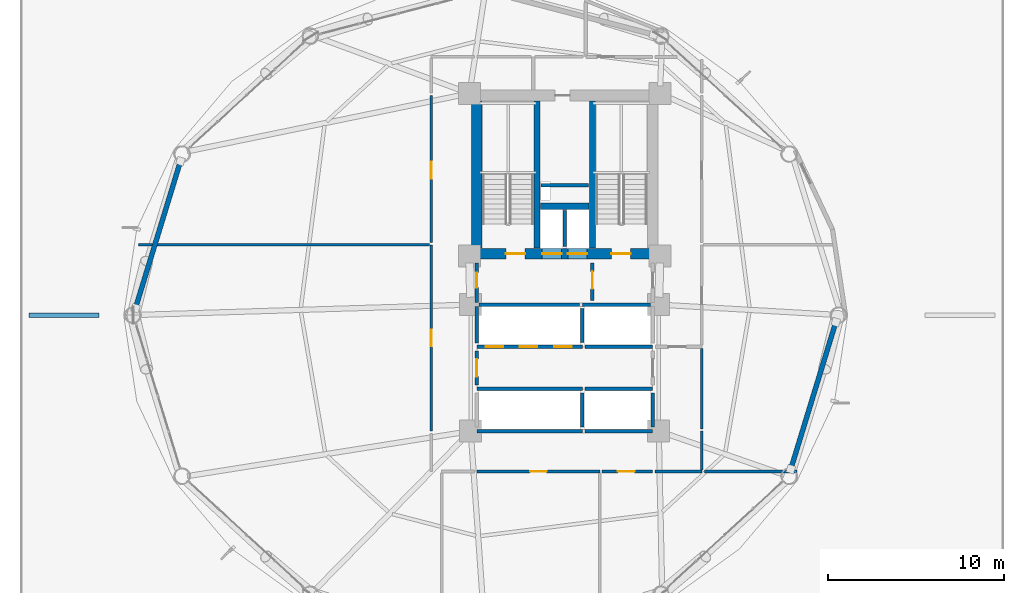
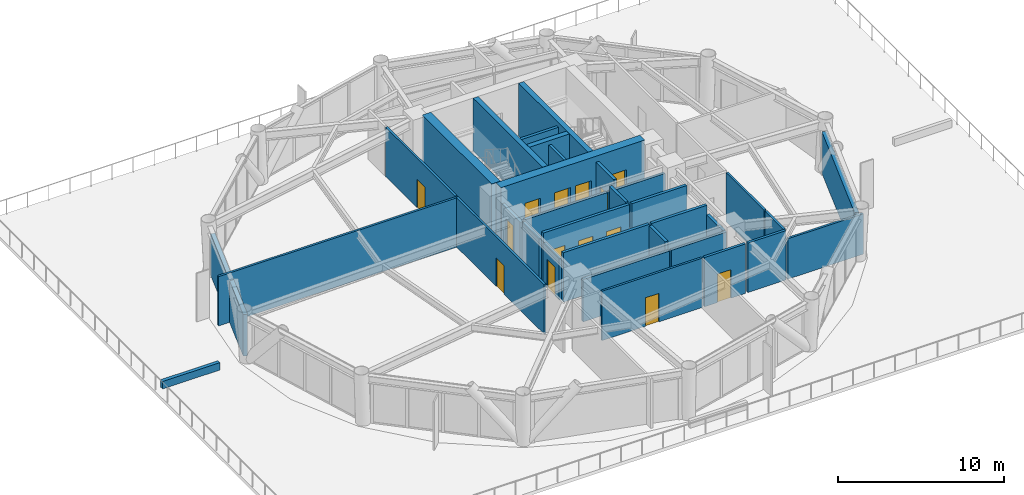
# One storey, part 20 of 24: 34 walls, 14 doors, 14 openings.
"""IFC4 building model written with IfcOpenShell, lengths in metres."""

from ifc_helpers import new_model, si_unit, direction, frame, frame_2d, origin, place, context, subcontext, project, spatial, rectangle, extrude, material, layer, layer_set, type_object, element, fill, save


model = new_model("IFC4")

# Units and contexts
model_context = context("Model", 3, precision=1e-05, world=origin(), true_north=direction((0.0, 1.0)))
body_context = subcontext(model_context, "Body", "Model", "MODEL_VIEW")
ifc_project = project(units=[si_unit("LENGTHUNIT", "METRE"), si_unit("AREAUNIT", "SQUARE_METRE"), si_unit("VOLUMEUNIT", "CUBIC_METRE"), si_unit("PLANEANGLEUNIT", "RADIAN"), si_unit("MASSUNIT", "GRAM", prefix="KILO")], contexts=[model_context])

# Site, building, storey
site_placement = place(None, origin())
site = spatial("IfcSite", under=ifc_project, at=site_placement, CompositionType="ELEMENT")
building_placement = place(site_placement, origin())
building = spatial("IfcBuilding", under=site, at=building_placement, Name="Varnakorn Sky Granary", CompositionType="ELEMENT")
storey_placement = place(building_placement, frame((0.0, 0.0, 27.60009765625)))
storey = spatial("IfcBuildingStorey", under=building, at=storey_placement, Name="L06", CompositionType="ELEMENT", Elevation=27.60009765625)

# Walls
ifc_material_1 = material(Name="Concrete C50/60", Category="concrete")
ifc_layer_1 = layer(ifc_material_1, 0.35009765625, Name="Concrete C50/60")
ifc_layer_set_1 = layer_set([ifc_layer_1], Name="Concrete C50/60")
wall_type_1 = type_object("IfcWallType", Name="WT-CW-INT-350", PredefinedType="SHEAR", material=ifc_layer_set_1)
for number, where, z_axis, x_axis, name in (
    (1, (1.419921875, 3.81005859375, 0.0), (0.0, 0.0, 1.0), (0.0, 1.0, 0.0), "Stair ST-1 Core Wall L06"),
    (2, (4.580078125, 3.81005859375, 0.0), (0.0, 0.0, 1.0), (0.0, 1.0, 0.0), "Stair ST-2 Core Wall L06"),
):
    element("IfcWall", number, at=place(storey_placement, frame(where, z_axis=z_axis, x_axis=x_axis)), inside=storey, type_object=wall_type_1, Name=name, PredefinedType="SHEAR", context=body_context, shape_type="SweptSolid", body=[
        extrude(rectangle(XDim=8.3798828125, YDim=0.35009765625, at=frame_2d((4.18994140625, 0.0))), origin(), (0.0, 0.0, 1.0), 3.891845703125),
    ])
wall_1_placement = place(storey_placement, frame((1.610107421875, 6.199951171875, 0.0), z_axis=(0.0, 0.0, 1.0), x_axis=(1.0, 0.0, 0.0)))
element("IfcWall", 3, at=wall_1_placement, inside=storey, type_object=wall_type_1, Name="Core Lift Shaft Cross Wall L06", PredefinedType="SHEAR", context=body_context, shape_type="SweptSolid", body=[
    extrude(rectangle(XDim=2.77978515625, YDim=0.35009765625, at=frame_2d((1.389892578125, 0.0))), origin(), (0.0, 0.0, 1.0), 3.891845703125),
])

# Wall, openings, doors
ifc_material_2 = material(Name="Concrete C60/75", Category="concrete")
ifc_layer_2 = layer(ifc_material_2, 0.60009765625, Name="Concrete C60/75")
ifc_layer_set_2 = layer_set([ifc_layer_2], Name="Concrete C60/75")
wall_type_2 = type_object("IfcWallType", Name="WT-CW-SHEAR-600", PredefinedType="SHEAR", material=ifc_layer_set_2)
wall_2_placement = place(storey_placement, frame((-2.0, 3.5, 0.0), z_axis=(0.0, 0.0, 1.0), x_axis=(1.0, 0.0, 0.0)))
wall_2 = element("IfcWall", 4, at=wall_2_placement, inside=storey, type_object=wall_type_2, Name="Core South Shear Wall L06", PredefinedType="SHEAR", context=body_context, shape_type="SweptSolid", body=[
    extrude(rectangle(XDim=10.0, YDim=0.60009765625, at=frame_2d((5.0, 0.0))), origin(), (0.0, 0.0, 1.0), 3.891845703125),
])
opening_1_placement = place(wall_2_placement, frame((1.64990234375, 0.0, 0.0)))
opening_1 = element("IfcOpeningElement", 5, at=opening_1_placement, cuts=wall_2, Name="Opening FD-90", PredefinedType="OPENING", context=body_context, shape_type="SweptSolid", body=[
    extrude(rectangle(XDim=1.10009765625, YDim=2.14990234375, at=frame_2d((0.550048828125, 1.074951171875))), frame((0.0, 0.31005859375, 0.0), z_axis=(0.0, -1.0, 0.0), x_axis=(1.0, 0.0, 0.0)), (0.0, 0.0, 1.0), 0.6201171875),
])
opening_2_placement = place(wall_2_placement, frame((7.64990234375, 0.0, 0.0)))
opening_2 = element("IfcOpeningElement", 6, at=opening_2_placement, cuts=wall_2, Name="Opening FD-90", PredefinedType="OPENING", context=body_context, shape_type="SweptSolid", body=[
    extrude(rectangle(XDim=1.10009765625, YDim=2.14990234375, at=frame_2d((0.550048828125, 1.074951171875))), frame((0.0, 0.31005859375, 0.0), z_axis=(0.0, -1.0, 0.0), x_axis=(1.0, 0.0, 0.0)), (0.0, 0.0, 1.0), 0.6201171875),
])
opening_3_placement = place(wall_2_placement, frame((3.719970703125, 0.0, 0.0)))
opening_3 = element("IfcOpeningElement", 7, at=opening_3_placement, cuts=wall_2, Name="Opening LD-01", PredefinedType="OPENING", context=body_context, shape_type="SweptSolid", body=[
    extrude(rectangle(XDim=1.10009765625, YDim=2.199951171875, at=frame_2d((0.550048828125, 1.10009765625))), frame((0.0, 0.31005859375, 0.0), z_axis=(0.0, -1.0, 0.0), x_axis=(1.0, 0.0, 0.0)), (0.0, 0.0, 1.0), 0.6201171875),
])
opening_4_placement = place(wall_2_placement, frame((5.179931640625, 0.0, 0.0)))
opening_4 = element("IfcOpeningElement", 8, at=opening_4_placement, cuts=wall_2, Name="Opening LD-01", PredefinedType="OPENING", context=body_context, shape_type="SweptSolid", body=[
    extrude(rectangle(XDim=1.10009765625, YDim=2.199951171875, at=frame_2d((0.550048828125, 1.10009765625))), frame((0.0, 0.31005859375, 0.0), z_axis=(0.0, -1.0, 0.0), x_axis=(1.0, 0.0, 0.0)), (0.0, 0.0, 1.0), 0.6201171875),
])
ifc_material_3 = material(Name="Brushed Bronze Stainless Steel", Category="steel")
door_type_1 = type_object("IfcDoorType", Name="DR-LD-1100", OperationType="DOUBLE_DOOR_SLIDING", PredefinedType="DOOR", material=ifc_material_3)
door_1_placement = place(opening_3_placement, origin())
door_1 = element("IfcDoor", 9, at=door_1_placement, inside=storey, type_object=door_type_1, Name="Firefighting Lift FFL-1 Landing Door L06", OperationType="DOUBLE_DOOR_SLIDING", OverallHeight=2.199951171875, OverallWidth=1.10009765625, PredefinedType="DOOR", context=body_context, shape_type="SweptSolid", body=[
    extrude(rectangle(XDim=1.10009765625, YDim=2.199951171875, at=frame_2d((0.550048828125, 1.10009765625))), frame((0.0, 0.02490234375, 0.0), z_axis=(0.0, -1.0, 0.0), x_axis=(1.0, 0.0, 0.0)), (0.0, 0.0, 1.0), 0.050048828125),
])
fill(opening_3, door_1)
door_2_placement = place(opening_4_placement, origin())
door_2 = element("IfcDoor", 10, at=door_2_placement, inside=storey, type_object=door_type_1, Name="Firefighting Lift FFL-2 Landing Door L06", OperationType="DOUBLE_DOOR_SLIDING", OverallHeight=2.199951171875, OverallWidth=1.10009765625, PredefinedType="DOOR", context=body_context, shape_type="SweptSolid", body=[
    extrude(rectangle(XDim=1.10009765625, YDim=2.199951171875, at=frame_2d((0.550048828125, 1.10009765625))), frame((0.0, 0.02490234375, 0.0), z_axis=(0.0, -1.0, 0.0), x_axis=(1.0, 0.0, 0.0)), (0.0, 0.0, 1.0), 0.050048828125),
])
fill(opening_4, door_2)
ifc_material_4 = material(Name="Galvanised Painted Steel Leaf", Category="steel")
door_type_2 = type_object("IfcDoorType", Name="DR-STAIR-1100", OperationType="NOTDEFINED", PredefinedType="DOOR", material=ifc_material_4)
door_3_placement = place(opening_1_placement, origin())
door_3 = element("IfcDoor", 11, at=door_3_placement, inside=storey, type_object=door_type_2, Name="Stair ST-1 Protected Fire Door L06", OperationType="SINGLE_SWING_LEFT", OverallHeight=2.14990234375, OverallWidth=1.10009765625, PredefinedType="DOOR", context=body_context, shape_type="SweptSolid", body=[
    extrude(rectangle(XDim=1.10009765625, YDim=2.14990234375, at=frame_2d((0.550048828125, 1.074951171875))), frame((0.0, 0.02490234375, 0.0), z_axis=(0.0, -1.0, 0.0), x_axis=(1.0, 0.0, 0.0)), (0.0, 0.0, 1.0), 0.050048828125),
])
fill(opening_1, door_3)
door_4_placement = place(opening_2_placement, origin())
door_4 = element("IfcDoor", 12, at=door_4_placement, inside=storey, type_object=door_type_2, Name="Stair ST-2 Protected Fire Door L06", OperationType="SINGLE_SWING_RIGHT", OverallHeight=2.14990234375, OverallWidth=1.10009765625, PredefinedType="DOOR", context=body_context, shape_type="SweptSolid", body=[
    extrude(rectangle(XDim=1.10009765625, YDim=2.14990234375, at=frame_2d((0.550048828125, 1.074951171875))), frame((0.0, 0.02490234375, 0.0), z_axis=(0.0, -1.0, 0.0), x_axis=(1.0, 0.0, 0.0)), (0.0, 0.0, 1.0), 0.050048828125),
])
fill(opening_2, door_4)

# Walls
wall_3_placement = place(storey_placement, frame((-2.0, 3.81005859375, 0.0), z_axis=(0.0, 0.0, 1.0), x_axis=(0.0, 1.0, 0.0)))
element("IfcWall", 13, at=wall_3_placement, inside=storey, type_object=wall_type_2, Name="Core West Shear Wall L06", PredefinedType="SHEAR", context=body_context, shape_type="SweptSolid", body=[
    extrude(rectangle(XDim=8.3798828125, YDim=0.60009765625, at=frame_2d((4.18994140625, 0.0))), origin(), (0.0, 0.0, 1.0), 3.891845703125),
])
ifc_material_5 = material(Name="Precast concrete C40/50", Category="concrete")
ifc_layer_3 = layer(ifc_material_5, 0.280029296875, Name="Precast concrete C40/50")
ifc_layer_set_3 = layer_set([ifc_layer_3], Name="Precast concrete C40/50")
wall_type_3 = type_object("IfcWallType", Name="WT-EW-CRN-280", PredefinedType="SOLIDWALL", material=ifc_layer_set_3)
for number, where, z_axis, x_axis, name in (
    (14, (-21.429443359375, 0.39404296875, 0.0), (0.0, 0.0, 1.0), (0.292709587844, 0.956201389449, 0.0), "Agritech Insulated Precast Facade Wall L06-P06"),
    (15, (18.429443359375, -0.39404296875, 0.0), (0.0, 0.0, 1.0), (-0.292709587844, -0.956201389449, 0.0), "Agritech Insulated Precast Facade Wall L06-P12"),
):
    element("IfcWall", number, at=place(storey_placement, frame(where, z_axis=z_axis, x_axis=x_axis)), inside=storey, type_object=wall_type_3, Name=name, PredefinedType="SOLIDWALL", context=body_context, shape_type="SweptSolid", body=[
        extrude(rectangle(XDim=8.752685546875, YDim=0.280029296875, at=frame_2d((4.37646484375, 0.0))), origin(), (0.0, 0.0, 1.0), 3.059814453125),
    ])

# Wall, opening, door
ifc_material_6 = material(Name="Autoclaved Aerated Concrete Blockwork", Category="masonry")
ifc_layer_4 = layer(ifc_material_6, 0.199951171875, Name="Autoclaved Aerated Concrete Blockwork")
ifc_layer_set_4 = layer_set([ifc_layer_4], Name="Autoclaved Aerated Concrete Blockwork")
wall_type_4 = type_object("IfcWallType", Name="WT-FIRE-200", PredefinedType="MOVABLE", material=ifc_layer_set_4)
wall_4_placement = place(storey_placement, frame((4.580078125, 0.830078125, 0.0), z_axis=(0.0, 0.0, 1.0), x_axis=(0.0, 1.0, 0.0)))
wall_4 = element("IfcWall", 16, at=wall_4_placement, inside=storey, type_object=wall_type_4, Name="Interior Partition Wall L06-016", PredefinedType="MOVABLE", context=body_context, shape_type="SweptSolid", body=[
    extrude(rectangle(XDim=2.139892578125, YDim=0.199951171875, at=frame_2d((1.06982421875, 0.0))), origin(), (0.0, 0.0, 1.0), 3.639892578125),
])
opening_5_placement = place(wall_4_placement, frame((0.659912109375, 0.0, 0.0)))
opening_5 = element("IfcOpeningElement", 17, at=opening_5_placement, cuts=wall_4, Name="Opening FD-60", PredefinedType="OPENING", context=body_context, shape_type="SweptSolid", body=[
    extrude(rectangle(XDim=1.0, YDim=2.10009765625, at=frame_2d((0.5, 1.050048828125))), frame((0.0, 0.10986328125, 0.0), z_axis=(0.0, -1.0, 0.0), x_axis=(1.0, 0.0, 0.0)), (0.0, 0.0, 1.0), 0.219970703125),
])
ifc_material_7 = material(Name="Acoustic Timber Fire Leaf", Category="wood")
door_type_3 = type_object("IfcDoorType", Name="DR-FD60-1000", OperationType="NOTDEFINED", PredefinedType="DOOR", material=ifc_material_7)
door_5_placement = place(opening_5_placement, origin())
door_5 = element("IfcDoor", 18, at=door_5_placement, inside=storey, type_object=door_type_3, Name="Interior Door L06-016-1", OperationType="SINGLE_SWING_LEFT", OverallHeight=2.10009765625, OverallWidth=1.0, PredefinedType="DOOR", context=body_context, shape_type="SweptSolid", body=[
    extrude(rectangle(XDim=1.0, YDim=2.10009765625, at=frame_2d((0.5, 1.050048828125))), frame((0.0, 0.02490234375, 0.0), z_axis=(0.0, -1.0, 0.0), x_axis=(1.0, 0.0, 0.0)), (0.0, 0.0, 1.0), 0.050048828125),
])
fill(opening_5, door_5)

wall_5_placement = place(storey_placement, frame((-2.0, 0.719970703125, 0.0), z_axis=(0.0, 0.0, 1.0), x_axis=(0.0, 1.0, 0.0)))
wall_5 = element("IfcWall", 19, at=wall_5_placement, inside=storey, type_object=wall_type_4, Name="Interior Partition Wall L06-017", PredefinedType="MOVABLE", context=body_context, shape_type="SweptSolid", body=[
    extrude(rectangle(XDim=2.25, YDim=0.199951171875, at=frame_2d((1.125, 0.0))), origin(), (0.0, 0.0, 1.0), 2.871826171875),
])
opening_6_placement = place(wall_5_placement, frame((0.844970703125, 0.0, 0.0)))
opening_6 = element("IfcOpeningElement", 20, at=opening_6_placement, cuts=wall_5, Name="Opening FD-60N", PredefinedType="OPENING", context=body_context, shape_type="SweptSolid", body=[
    extrude(rectangle(XDim=0.85009765625, YDim=2.10009765625, at=frame_2d((0.425048828125, 1.050048828125))), frame((0.0, 0.10986328125, 0.0), z_axis=(0.0, -1.0, 0.0), x_axis=(1.0, 0.0, 0.0)), (0.0, 0.0, 1.0), 0.219970703125),
])
door_type_4 = type_object("IfcDoorType", Name="DR-FD60-850", OperationType="NOTDEFINED", PredefinedType="DOOR", material=ifc_material_7)
door_6_placement = place(opening_6_placement, origin())
door_6 = element("IfcDoor", 21, at=door_6_placement, inside=storey, type_object=door_type_4, Name="Interior Door L06-017-1", OperationType="SINGLE_SWING_RIGHT", OverallHeight=2.10009765625, OverallWidth=0.85009765625, PredefinedType="DOOR", context=body_context, shape_type="SweptSolid", body=[
    extrude(rectangle(XDim=0.85009765625, YDim=2.10009765625, at=frame_2d((0.425048828125, 1.050048828125))), frame((0.0, 0.02490234375, 0.0), z_axis=(0.0, -1.0, 0.0), x_axis=(1.0, 0.0, 0.0)), (0.0, 0.0, 1.0), 0.050048828125),
])
fill(opening_6, door_6)

wall_6_placement = place(storey_placement, frame((-2.0, -3.969970703125, 0.0), z_axis=(0.0, 0.0, 1.0), x_axis=(0.0, 1.0, 0.0)))
wall_6 = element("IfcWall", 22, at=wall_6_placement, inside=storey, type_object=wall_type_4, Name="Interior Partition Wall L06-019", PredefinedType="MOVABLE", context=body_context, shape_type="SweptSolid", body=[
    extrude(rectangle(XDim=1.93994140625, YDim=0.199951171875, at=frame_2d((0.969970703125, 0.0))), origin(), (0.0, 0.0, 1.0), 3.02197265625),
])
opening_7_placement = place(wall_6_placement, frame((0.469970703125, 0.0, 0.0)))
opening_7 = element("IfcOpeningElement", 23, at=opening_7_placement, cuts=wall_6, Name="Opening FD-60", PredefinedType="OPENING", context=body_context, shape_type="SweptSolid", body=[
    extrude(rectangle(XDim=1.0, YDim=2.10009765625, at=frame_2d((0.5, 1.050048828125))), frame((0.0, 0.10986328125, 0.0), z_axis=(0.0, -1.0, 0.0), x_axis=(1.0, 0.0, 0.0)), (0.0, 0.0, 1.0), 0.219970703125),
])
door_7_placement = place(opening_7_placement, origin())
door_7 = element("IfcDoor", 24, at=door_7_placement, inside=storey, type_object=door_type_3, Name="Interior Door L06-019-1", OperationType="SINGLE_SWING_RIGHT", OverallHeight=2.10009765625, OverallWidth=1.0, PredefinedType="DOOR", context=body_context, shape_type="SweptSolid", body=[
    extrude(rectangle(XDim=1.0, YDim=2.10009765625, at=frame_2d((0.5, 1.050048828125))), frame((0.0, 0.02490234375, 0.0), z_axis=(0.0, -1.0, 0.0), x_axis=(1.0, 0.0, 0.0)), (0.0, 0.0, 1.0), 0.050048828125),
])
fill(opening_7, door_7)

# Wall
wall_7_placement = place(storey_placement, frame((-1.8798828125, 0.60009765625, 0.0), z_axis=(0.0, 0.0, 1.0), x_axis=(1.0, 0.0, 0.0)))
element("IfcWall", 25, at=wall_7_placement, inside=storey, type_object=wall_type_4, Name="Interior Partition Wall L06-029", PredefinedType="MOVABLE", context=body_context, shape_type="SweptSolid", body=[
    extrude(rectangle(XDim=5.719970703125, YDim=0.199951171875, at=frame_2d((2.85986328125, 0.0))), origin(), (0.0, 0.0, 1.0), 3.121826171875),
])

# Wall, opening, door
ifc_material_8 = material(Name="Gypsum Plasterboard on Steel Stud", Category="steel")
ifc_layer_5 = layer(ifc_material_8, 0.14990234375, Name="Gypsum Plasterboard on Steel Stud")
ifc_layer_set_5 = layer_set([ifc_layer_5], Name="Gypsum Plasterboard on Steel Stud")
wall_type_5 = type_object("IfcWallType", Name="WT-PART-150", PredefinedType="PARTITIONING", material=ifc_layer_set_5)
wall_8_placement = place(storey_placement, frame((-2.0, -8.89990234375, 0.0), z_axis=(0.0, 0.0, 1.0), x_axis=(1.0, 0.0, 0.0)))
wall_8 = element("IfcWall", 26, at=wall_8_placement, inside=storey, type_object=wall_type_5, Name="Interior Partition Wall L06-023", PredefinedType="PARTITIONING", context=body_context, shape_type="SweptSolid", body=[
    extrude(rectangle(XDim=7.0, YDim=0.14990234375, at=frame_2d((3.5, 0.0))), origin(), (0.0, 0.0, 1.0), 3.639892578125),
])
opening_8_placement = place(wall_8_placement, frame((3.02490234375, 0.0, 0.0)))
opening_8 = element("IfcOpeningElement", 27, at=opening_8_placement, cuts=wall_8, Name="Opening ID-95", PredefinedType="OPENING", context=body_context, shape_type="SweptSolid", body=[
    extrude(rectangle(XDim=0.949951171875, YDim=2.10009765625, at=frame_2d((0.47509765625, 1.050048828125))), frame((0.0, 0.0849609375, 0.0), z_axis=(0.0, -1.0, 0.0), x_axis=(1.0, 0.0, 0.0)), (0.0, 0.0, 1.0), 0.169921875),
])
ifc_material_9 = material(Name="Solid-Core Teak Veneer Leaf", Category="timber")
door_type_5 = type_object("IfcDoorType", Name="DR-INT-950", OperationType="NOTDEFINED", PredefinedType="DOOR", material=ifc_material_9)
door_8_placement = place(opening_8_placement, origin())
door_8 = element("IfcDoor", 28, at=door_8_placement, inside=storey, type_object=door_type_5, Name="Interior Door L06-023-1", OperationType="SINGLE_SWING_RIGHT", OverallHeight=2.10009765625, OverallWidth=0.949951171875, PredefinedType="DOOR", context=body_context, shape_type="SweptSolid", body=[
    extrude(rectangle(XDim=0.949951171875, YDim=2.10009765625, at=frame_2d((0.47509765625, 1.050048828125))), frame((0.0, 0.02490234375, 0.0), z_axis=(0.0, -1.0, 0.0), x_axis=(1.0, 0.0, 0.0)), (0.0, 0.0, 1.0), 0.050048828125),
])
fill(opening_8, door_8)

wall_9_placement = place(storey_placement, frame((-4.60009765625, 4.0, 0.0), z_axis=(0.0, 0.0, 1.0), x_axis=(0.0, -1.0, 0.0)))
wall_9 = element("IfcWall", 29, at=wall_9_placement, inside=storey, type_object=wall_type_5, Name="Interior Partition Wall L06-025", PredefinedType="PARTITIONING", context=body_context, shape_type="SweptSolid", body=[
    extrude(rectangle(XDim=10.60009765625, YDim=0.14990234375, at=frame_2d((5.300048828125, 0.0))), origin(), (0.0, 0.0, 1.0), 3.639892578125),
])
opening_9_placement = place(wall_9_placement, frame((4.824951171875, 0.0, 0.0)))
opening_9 = element("IfcOpeningElement", 30, at=opening_9_placement, cuts=wall_9, Name="Opening ID-95", PredefinedType="OPENING", context=body_context, shape_type="SweptSolid", body=[
    extrude(rectangle(XDim=0.949951171875, YDim=2.10009765625, at=frame_2d((0.47509765625, 1.050048828125))), frame((0.0, 0.0849609375, 0.0), z_axis=(0.0, -1.0, 0.0), x_axis=(1.0, 0.0, 0.0)), (0.0, 0.0, 1.0), 0.169921875),
])
door_9_placement = place(opening_9_placement, origin())
door_9 = element("IfcDoor", 31, at=door_9_placement, inside=storey, type_object=door_type_5, Name="Interior Door L06-025-1", OperationType="SINGLE_SWING_RIGHT", OverallHeight=2.10009765625, OverallWidth=0.949951171875, PredefinedType="DOOR", context=body_context, shape_type="SweptSolid", body=[
    extrude(rectangle(XDim=0.949951171875, YDim=2.10009765625, at=frame_2d((0.47509765625, 1.050048828125))), frame((0.0, 0.02490234375, 0.0), z_axis=(0.0, -1.0, 0.0), x_axis=(1.0, 0.0, 0.0)), (0.0, 0.0, 1.0), 0.050048828125),
])
fill(opening_9, door_9)

wall_10_placement = place(storey_placement, frame((-4.60009765625, 12.5, 0.0), z_axis=(0.0, 0.0, 1.0), x_axis=(0.0, -1.0, 0.0)))
wall_10 = element("IfcWall", 32, at=wall_10_placement, inside=storey, type_object=wall_type_5, Name="Interior Partition Wall L06-027", PredefinedType="PARTITIONING", context=body_context, shape_type="SweptSolid", body=[
    extrude(rectangle(XDim=8.364990234375, YDim=0.14990234375, at=frame_2d((4.1826171875, 0.0))), origin(), (0.0, 0.0, 1.0), 3.639892578125),
])
opening_10_placement = place(wall_10_placement, frame((3.77490234375, 0.0, 0.0)))
opening_10 = element("IfcOpeningElement", 33, at=opening_10_placement, cuts=wall_10, Name="Opening ID-95", PredefinedType="OPENING", context=body_context, shape_type="SweptSolid", body=[
    extrude(rectangle(XDim=0.949951171875, YDim=2.10009765625, at=frame_2d((0.47509765625, 1.050048828125))), frame((0.0, 0.0849609375, 0.0), z_axis=(0.0, -1.0, 0.0), x_axis=(1.0, 0.0, 0.0)), (0.0, 0.0, 1.0), 0.169921875),
])
door_10_placement = place(opening_10_placement, origin())
door_10 = element("IfcDoor", 34, at=door_10_placement, inside=storey, type_object=door_type_5, Name="Interior Door L06-027-1", OperationType="SINGLE_SWING_RIGHT", OverallHeight=2.10009765625, OverallWidth=0.949951171875, PredefinedType="DOOR", context=body_context, shape_type="SweptSolid", body=[
    extrude(rectangle(XDim=0.949951171875, YDim=2.10009765625, at=frame_2d((0.47509765625, 1.050048828125))), frame((0.0, 0.02490234375, 0.0), z_axis=(0.0, -1.0, 0.0), x_axis=(1.0, 0.0, 0.0)), (0.0, 0.0, 1.0), 0.050048828125),
])
fill(opening_10, door_10)

# Walls
wall_11_placement = place(storey_placement, frame((10.949951171875, -8.89990234375, 0.0), z_axis=(0.0, 0.0, 1.0), x_axis=(1.0, 0.0, 0.0)))
element("IfcWall", 35, at=wall_11_placement, inside=storey, type_object=wall_type_5, Name="Interior Partition Wall L06-036", PredefinedType="PARTITIONING", context=body_context, shape_type="SweptSolid", body=[
    extrude(rectangle(XDim=5.260009765625, YDim=0.14990234375, at=frame_2d((2.6298828125, 0.0))), origin(), (0.0, 0.0, 1.0), 2.971923828125),
])
wall_12_placement = place(storey_placement, frame((-21.2509765625, 4.0, 0.0), z_axis=(0.0, 0.0, 1.0), x_axis=(1.0, 0.0, 0.0)))
element("IfcWall", 36, at=wall_12_placement, inside=storey, type_object=wall_type_5, Name="Interior Partition Wall L06-038", PredefinedType="PARTITIONING", context=body_context, shape_type="SweptSolid", body=[
    extrude(rectangle(XDim=16.56591796875, YDim=0.14990234375, at=frame_2d((8.282958984375, 0.0))), origin(), (0.0, 0.0, 1.0), 3.639892578125),
])
wall_13_placement = place(storey_placement, frame((10.800048828125, -8.800048828125, 0.0), z_axis=(0.0, 0.0, 1.0), x_axis=(0.0, 1.0, 0.0)))
element("IfcWall", 37, at=wall_13_placement, inside=storey, type_object=wall_type_5, Name="Interior Partition Wall L06-039", PredefinedType="PARTITIONING", context=body_context, shape_type="SweptSolid", body=[
    extrude(rectangle(XDim=2.199951171875, YDim=0.14990234375, at=frame_2d((1.10009765625, 0.0))), origin(), (0.0, 0.0, 1.0), 3.639892578125),
])
wall_14_placement = place(storey_placement, frame((10.800048828125, -6.465087890625, 0.0), z_axis=(0.0, 0.0, 1.0), x_axis=(0.0, 1.0, 0.0)))
element("IfcWall", 38, at=wall_14_placement, inside=storey, type_object=wall_type_5, Name="Interior Partition Wall L06-040", PredefinedType="PARTITIONING", context=body_context, shape_type="SweptSolid", body=[
    extrude(rectangle(XDim=4.55517578125, YDim=0.14990234375, at=frame_2d((2.277587890625, 0.0))), origin(), (0.0, 0.0, 1.0), 3.639892578125),
])

# Wall, opening, door
ifc_material_10 = material(Name="Moisture-Resistant Gypsum on Stud", Category="gypsum")
ifc_layer_6 = layer(ifc_material_10, 0.179931640625, Name="Moisture-Resistant Gypsum on Stud")
ifc_layer_set_6 = layer_set([ifc_layer_6], Name="Moisture-Resistant Gypsum on Stud")
wall_type_6 = type_object("IfcWallType", Name="WT-PLUMB-180", PredefinedType="PLUMBINGWALL", material=ifc_layer_set_6)
wall_15_placement = place(storey_placement, frame((5.135009765625, -8.89990234375, 0.0), z_axis=(0.0, 0.0, 1.0), x_axis=(1.0, 0.0, 0.0)))
wall_15 = element("IfcWall", 39, at=wall_15_placement, inside=storey, type_object=wall_type_6, Name="Interior Partition Wall L06-024", PredefinedType="PLUMBINGWALL", context=body_context, shape_type="SweptSolid", body=[
    extrude(rectangle(XDim=2.864990234375, YDim=0.179931640625, at=frame_2d((1.4326171875, 0.0))), origin(), (0.0, 0.0, 1.0), 3.639892578125),
])
opening_11_placement = place(wall_15_placement, frame((0.889892578125, 0.0, 0.0)))
opening_11 = element("IfcOpeningElement", 40, at=opening_11_placement, cuts=wall_15, Name="Opening ID-95", PredefinedType="OPENING", context=body_context, shape_type="SweptSolid", body=[
    extrude(rectangle(XDim=0.949951171875, YDim=2.10009765625, at=frame_2d((0.47509765625, 1.050048828125))), frame((0.0, 0.10009765625, 0.0), z_axis=(0.0, -1.0, 0.0), x_axis=(1.0, 0.0, 0.0)), (0.0, 0.0, 1.0), 0.199951171875),
])
door_11_placement = place(opening_11_placement, origin())
door_11 = element("IfcDoor", 41, at=door_11_placement, inside=storey, type_object=door_type_5, Name="Interior Door L06-024-1", OperationType="SINGLE_SWING_LEFT", OverallHeight=2.10009765625, OverallWidth=0.949951171875, PredefinedType="DOOR", context=body_context, shape_type="SweptSolid", body=[
    extrude(rectangle(XDim=0.949951171875, YDim=2.10009765625, at=frame_2d((0.47509765625, 1.050048828125))), frame((0.0, 0.02490234375, 0.0), z_axis=(0.0, -1.0, 0.0), x_axis=(1.0, 0.0, 0.0)), (0.0, 0.0, 1.0), 0.050048828125),
])
fill(opening_11, door_11)

# Walls
wall_16_placement = place(storey_placement, frame((8.14990234375, -8.89990234375, 0.0), z_axis=(0.0, 0.0, 1.0), x_axis=(1.0, 0.0, 0.0)))
element("IfcWall", 42, at=wall_16_placement, inside=storey, type_object=wall_type_6, Name="Interior Partition Wall L06-035", PredefinedType="PLUMBINGWALL", context=body_context, shape_type="SweptSolid", body=[
    extrude(rectangle(XDim=2.650146484375, YDim=0.179931640625, at=frame_2d((1.3251953125, 0.0))), origin(), (0.0, 0.0, 1.0), 3.639892578125),
])
ifc_layer_7 = layer(ifc_material_6, 0.199951171875, Name="Autoclaved Aerated Concrete Blockwork")
ifc_layer_set_7 = layer_set([ifc_layer_7], Name="Autoclaved Aerated Concrete Blockwork")
wall_type_7 = type_object("IfcWallType", Name="WT-SHAFT-200", PredefinedType="SOLIDWALL", material=ifc_layer_set_7)
wall_17_placement = place(storey_placement, frame((3.0, 3.919921875, 0.0), z_axis=(0.0, 0.0, 1.0), x_axis=(0.0, 1.0, 0.0)))
element("IfcWall", 43, at=wall_17_placement, inside=storey, type_object=wall_type_7, Name="Interior Partition Wall L06-001", PredefinedType="SOLIDWALL", context=body_context, shape_type="SweptSolid", body=[
    extrude(rectangle(XDim=2.030029296875, YDim=0.199951171875, at=frame_2d((1.01513671875, 0.0))), origin(), (0.0, 0.0, 1.0), 3.639892578125),
])
wall_18_placement = place(storey_placement, frame((1.64990234375, 7.3798828125, 0.0), z_axis=(0.0, 0.0, 1.0), x_axis=(1.0, 0.0, 0.0)))
element("IfcWall", 44, at=wall_18_placement, inside=storey, type_object=wall_type_7, Name="Interior Partition Wall L06-002", PredefinedType="SOLIDWALL", context=body_context, shape_type="SweptSolid", body=[
    extrude(rectangle(XDim=2.7001953125, YDim=0.199951171875, at=frame_2d((1.35009765625, 0.0))), origin(), (0.0, 0.0, 1.0), 3.639892578125),
])
wall_19_placement = place(storey_placement, frame((4.0, 0.60009765625, 0.0), z_axis=(0.0, 0.0, 1.0), x_axis=(1.0, 0.0, 0.0)))
element("IfcWall", 45, at=wall_19_placement, inside=storey, type_object=wall_type_7, Name="Interior Partition Wall L06-003", PredefinedType="SOLIDWALL", context=body_context, shape_type="SweptSolid", body=[
    extrude(rectangle(XDim=3.8798828125, YDim=0.199951171875, at=frame_2d((1.93994140625, 0.0))), origin(), (0.0, 0.0, 1.0), 3.121826171875),
])

# Wall, openings, doors
wall_20_placement = place(storey_placement, frame((-2.0, -1.800048828125, 0.0), z_axis=(0.0, 0.0, 1.0), x_axis=(1.0, 0.0, 0.0)))
wall_20 = element("IfcWall", 46, at=wall_20_placement, inside=storey, type_object=wall_type_7, Name="Interior Partition Wall L06-004", PredefinedType="SOLIDWALL", context=body_context, shape_type="SweptSolid", body=[
    extrude(rectangle(XDim=6.0, YDim=0.199951171875, at=frame_2d((3.0, 0.0))), origin(), (0.0, 0.0, 1.0), 3.639892578125),
])
opening_12_placement = place(wall_20_placement, frame((0.5, 0.0, 0.0)))
opening_12 = element("IfcOpeningElement", 47, at=opening_12_placement, cuts=wall_20, Name="Opening LD-03", PredefinedType="OPENING", context=body_context, shape_type="SweptSolid", body=[
    extrude(rectangle(XDim=1.0, YDim=2.199951171875, at=frame_2d((0.5, 1.10009765625))), frame((0.0, 0.10986328125, 0.0), z_axis=(0.0, -1.0, 0.0), x_axis=(1.0, 0.0, 0.0)), (0.0, 0.0, 1.0), 0.219970703125),
])
opening_13_placement = place(wall_20_placement, frame((2.449951171875, 0.0, 0.0)))
opening_13 = element("IfcOpeningElement", 48, at=opening_13_placement, cuts=wall_20, Name="Opening LD-03", PredefinedType="OPENING", context=body_context, shape_type="SweptSolid", body=[
    extrude(rectangle(XDim=1.0, YDim=2.199951171875, at=frame_2d((0.5, 1.10009765625))), frame((0.0, 0.10986328125, 0.0), z_axis=(0.0, -1.0, 0.0), x_axis=(1.0, 0.0, 0.0)), (0.0, 0.0, 1.0), 0.219970703125),
])
opening_14_placement = place(wall_20_placement, frame((4.39990234375, 0.0, 0.0)))
opening_14 = element("IfcOpeningElement", 49, at=opening_14_placement, cuts=wall_20, Name="Opening LD-03", PredefinedType="OPENING", context=body_context, shape_type="SweptSolid", body=[
    extrude(rectangle(XDim=1.0, YDim=2.199951171875, at=frame_2d((0.5, 1.10009765625))), frame((0.0, 0.10986328125, 0.0), z_axis=(0.0, -1.0, 0.0), x_axis=(1.0, 0.0, 0.0)), (0.0, 0.0, 1.0), 0.219970703125),
])
door_type_6 = type_object("IfcDoorType", Name="DR-LD-1000", OperationType="DOUBLE_DOOR_SLIDING", PredefinedType="DOOR", material=ifc_material_3)
door_12_placement = place(opening_12_placement, origin())
door_12 = element("IfcDoor", 50, at=door_12_placement, inside=storey, type_object=door_type_6, Name="Passenger Lift PL-L1 Sliding Landing Door L06", OperationType="DOUBLE_DOOR_SLIDING", OverallHeight=2.199951171875, OverallWidth=1.0, PredefinedType="DOOR", context=body_context, shape_type="SweptSolid", body=[
    extrude(rectangle(XDim=1.0, YDim=2.199951171875, at=frame_2d((0.5, 1.10009765625))), frame((0.0, 0.02490234375, 0.0), z_axis=(0.0, -1.0, 0.0), x_axis=(1.0, 0.0, 0.0)), (0.0, 0.0, 1.0), 0.050048828125),
])
fill(opening_12, door_12)
door_13_placement = place(opening_13_placement, origin())
door_13 = element("IfcDoor", 51, at=door_13_placement, inside=storey, type_object=door_type_6, Name="Passenger Lift PL-L2 Sliding Landing Door L06", OperationType="DOUBLE_DOOR_SLIDING", OverallHeight=2.199951171875, OverallWidth=1.0, PredefinedType="DOOR", context=body_context, shape_type="SweptSolid", body=[
    extrude(rectangle(XDim=1.0, YDim=2.199951171875, at=frame_2d((0.5, 1.10009765625))), frame((0.0, 0.02490234375, 0.0), z_axis=(0.0, -1.0, 0.0), x_axis=(1.0, 0.0, 0.0)), (0.0, 0.0, 1.0), 0.050048828125),
])
fill(opening_13, door_13)
door_14_placement = place(opening_14_placement, origin())
door_14 = element("IfcDoor", 52, at=door_14_placement, inside=storey, type_object=door_type_6, Name="Passenger Lift PL-L3 Sliding Landing Door L06", OperationType="DOUBLE_DOOR_SLIDING", OverallHeight=2.199951171875, OverallWidth=1.0, PredefinedType="DOOR", context=body_context, shape_type="SweptSolid", body=[
    extrude(rectangle(XDim=1.0, YDim=2.199951171875, at=frame_2d((0.5, 1.10009765625))), frame((0.0, 0.02490234375, 0.0), z_axis=(0.0, -1.0, 0.0), x_axis=(1.0, 0.0, 0.0)), (0.0, 0.0, 1.0), 0.050048828125),
])
fill(opening_14, door_14)

# Walls
wall_21_placement = place(storey_placement, frame((-2.0, -1.570068359375, 0.0), z_axis=(0.0, 0.0, 1.0), x_axis=(0.0, 1.0, 0.0)))
element("IfcWall", 53, at=wall_21_placement, inside=storey, type_object=wall_type_7, Name="Interior Partition Wall L06-005", PredefinedType="SOLIDWALL", context=body_context, shape_type="SweptSolid", body=[
    extrude(rectangle(XDim=2.050048828125, YDim=0.199951171875, at=frame_2d((1.02490234375, 0.0))), origin(), (0.0, 0.0, 1.0), 3.02197265625),
])
wall_22_placement = place(storey_placement, frame((4.159912109375, -1.800048828125, 0.0), z_axis=(0.0, 0.0, 1.0), x_axis=(1.0, 0.0, 0.0)))
element("IfcWall", 54, at=wall_22_placement, inside=storey, type_object=wall_type_7, Name="Interior Partition Wall L06-006", PredefinedType="SOLIDWALL", context=body_context, shape_type="SweptSolid", body=[
    extrude(rectangle(XDim=3.840087890625, YDim=0.199951171875, at=frame_2d((1.919921875, 0.0))), origin(), (0.0, 0.0, 1.0), 3.639892578125),
])
wall_23_placement = place(storey_placement, frame((4.0, -1.570068359375, 0.0), z_axis=(0.0, 0.0, 1.0), x_axis=(0.0, 1.0, 0.0)))
element("IfcWall", 55, at=wall_23_placement, inside=storey, type_object=wall_type_7, Name="Interior Partition Wall L06-007", PredefinedType="SOLIDWALL", context=body_context, shape_type="SweptSolid", body=[
    extrude(rectangle(XDim=1.940185546875, YDim=0.199951171875, at=frame_2d((0.97021484375, 0.0))), origin(), (0.0, 0.0, 1.0), 3.639892578125),
])
wall_24_placement = place(storey_placement, frame((-2.0, -4.199951171875, 0.0), z_axis=(0.0, 0.0, 1.0), x_axis=(1.0, 0.0, 0.0)))
element("IfcWall", 56, at=wall_24_placement, inside=storey, type_object=wall_type_7, Name="Interior Partition Wall L06-009", PredefinedType="SOLIDWALL", context=body_context, shape_type="SweptSolid", body=[
    extrude(rectangle(XDim=6.0, YDim=0.199951171875, at=frame_2d((3.0, 0.0))), origin(), (0.0, 0.0, 1.0), 3.639892578125),
])
wall_25_placement = place(storey_placement, frame((-2.0, -6.60009765625, 0.0), z_axis=(0.0, 0.0, 1.0), x_axis=(1.0, 0.0, 0.0)))
element("IfcWall", 57, at=wall_25_placement, inside=storey, type_object=wall_type_7, Name="Interior Partition Wall L06-010", PredefinedType="SOLIDWALL", context=body_context, shape_type="SweptSolid", body=[
    extrude(rectangle(XDim=6.0, YDim=0.199951171875, at=frame_2d((3.0, 0.0))), origin(), (0.0, 0.0, 1.0), 3.121826171875),
])
wall_26_placement = place(storey_placement, frame((4.159912109375, -4.199951171875, 0.0), z_axis=(0.0, 0.0, 1.0), x_axis=(1.0, 0.0, 0.0)))
element("IfcWall", 58, at=wall_26_placement, inside=storey, type_object=wall_type_7, Name="Interior Partition Wall L06-012", PredefinedType="SOLIDWALL", context=body_context, shape_type="SweptSolid", body=[
    extrude(rectangle(XDim=3.840087890625, YDim=0.199951171875, at=frame_2d((1.919921875, 0.0))), origin(), (0.0, 0.0, 1.0), 3.639892578125),
])
wall_27_placement = place(storey_placement, frame((4.159912109375, -6.60009765625, 0.0), z_axis=(0.0, 0.0, 1.0), x_axis=(1.0, 0.0, 0.0)))
element("IfcWall", 59, at=wall_27_placement, inside=storey, type_object=wall_type_7, Name="Interior Partition Wall L06-013", PredefinedType="SOLIDWALL", context=body_context, shape_type="SweptSolid", body=[
    extrude(rectangle(XDim=3.840087890625, YDim=0.199951171875, at=frame_2d((1.919921875, 0.0))), origin(), (0.0, 0.0, 1.0), 3.121826171875),
])
wall_28_placement = place(storey_placement, frame((4.0, -6.3701171875, 0.0), z_axis=(0.0, 0.0, 1.0), x_axis=(0.0, 1.0, 0.0)))
element("IfcWall", 60, at=wall_28_placement, inside=storey, type_object=wall_type_7, Name="Interior Partition Wall L06-014", PredefinedType="SOLIDWALL", context=body_context, shape_type="SweptSolid", body=[
    extrude(rectangle(XDim=1.940185546875, YDim=0.199951171875, at=frame_2d((0.97021484375, 0.0))), origin(), (0.0, 0.0, 1.0), 3.639892578125),
])
wall_29_placement = place(storey_placement, frame((8.0, -6.3701171875, 0.0), z_axis=(0.0, 0.0, 1.0), x_axis=(0.0, 1.0, 0.0)))
element("IfcWall", 61, at=wall_29_placement, inside=storey, type_object=wall_type_7, Name="Interior Partition Wall L06-015", PredefinedType="SOLIDWALL", context=body_context, shape_type="SweptSolid", body=[
    extrude(rectangle(XDim=1.940185546875, YDim=0.199951171875, at=frame_2d((0.97021484375, 0.0))), origin(), (0.0, 0.0, 1.0), 3.072021484375),
])
ifc_layer_8 = layer(ifc_material_5, 0.239990234375, Name="Precast concrete C40/50")
ifc_layer_set_8 = layer_set([ifc_layer_8], Name="Precast concrete C40/50")
wall_type_8 = type_object("IfcWallType", Name="WT-WP-PLN-240", PredefinedType="PARAPET", material=ifc_layer_set_8)
wall_30_placement = place(storey_placement, frame((-27.5, 0.0, 0.0), z_axis=(0.0, 0.0, 1.0), x_axis=(1.0, 0.0, 0.0)))
element("IfcWall", 62, at=wall_30_placement, inside=storey, type_object=wall_type_8, Name="Podium Roof Cultivar Planter Bed PLANTER L06-1", PredefinedType="PARAPET", context=body_context, shape_type="SweptSolid", body=[
    extrude(rectangle(XDim=4.0, YDim=0.239990234375, at=frame_2d((2.0, 0.0))), origin(), (0.0, 0.0, 1.0), 0.5498046875),
])

save(model, "model.ifc")
